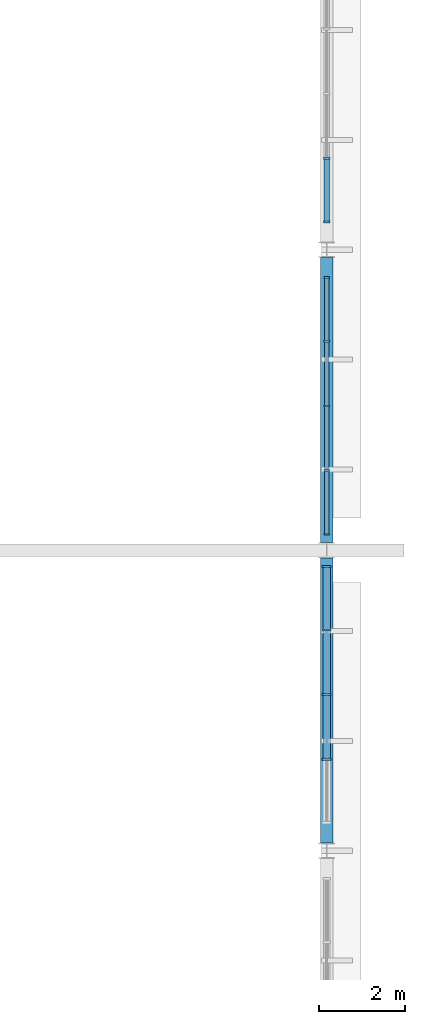
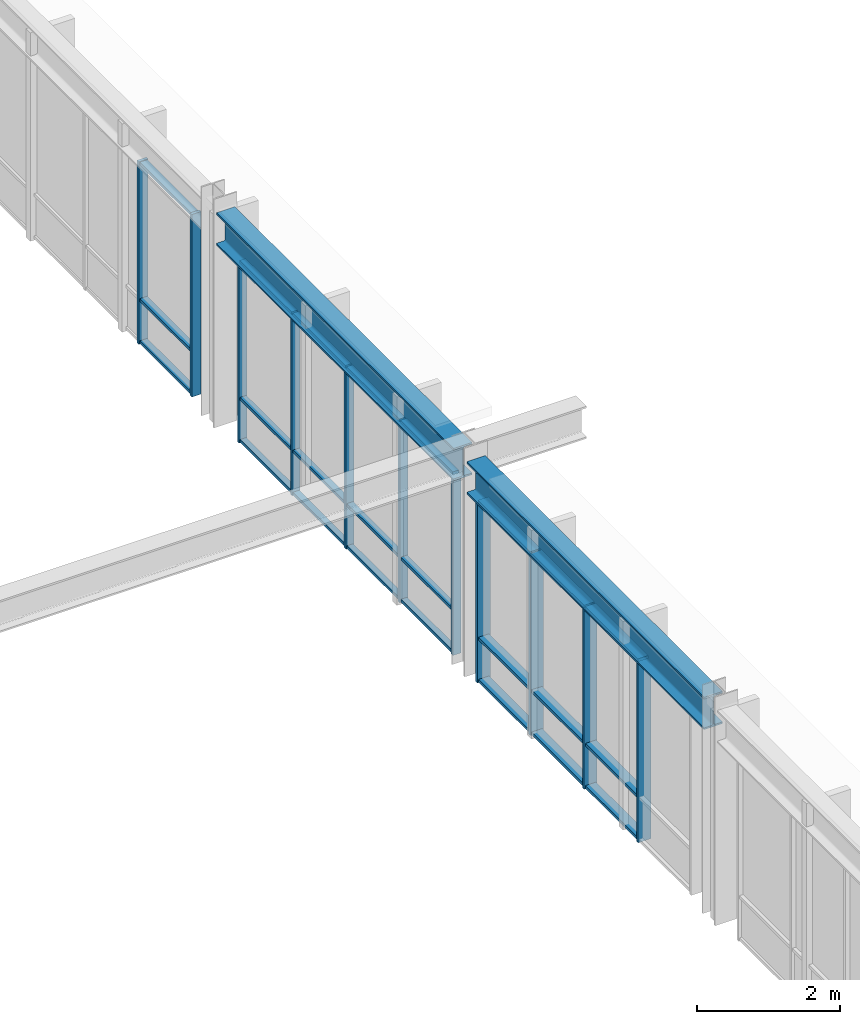
# One storey, part 35 of 98: 35 members, 2 beams, 3 elements without a shape of their own.
"""IFC4 building model written with IfcOpenShell, lengths in metres."""

import ifcopenshell
import ifcopenshell.guid

model = None  # the IFC model being written
_history = None  # IfcOwnerHistory: only IFC2X3 demands one
_inside = {}  # id of a spatial element -> (the spatial element, [elements in it])
_under = {}  # id of a project, library or spatial element -> (it, [spatial elements below it])
_declared = {}  # id of a project -> (the project, [libraries it declares])
_typed = {}  # id of a type object -> (the type object, [elements of that type])
_made_of = {}  # id of a material, layer set ... -> (it, [elements and type objects made of it])


def new_model(schema):
    """Start an empty IFC model of exactly this schema.

    Asked for "IFC4X3", IfcOpenShell would pick the latest addendum, in which some entities
    have other attributes; the version numbers below select the first issue.
    IFC2X3 requires an IfcOwnerHistory on every rooted entity: one is made here for all.
    """
    global model, _history
    if schema == "IFC4X3":
        model = ifcopenshell.file(schema_version=(4, 3, 0, 0))
    else:
        model = ifcopenshell.file(schema=schema)
    _inside.clear()
    _under.clear()
    _declared.clear()
    _typed.clear()
    _made_of.clear()
    _history = None
    if model.schema == "IFC2X3":
        org = make("IfcOrganization", Name="unknown")
        user = make(
            "IfcPersonAndOrganization",
            ThePerson=make("IfcPerson", FamilyName="unknown"),
            TheOrganization=org,
        )
        app = make(
            "IfcApplication",
            ApplicationDeveloper=org,
            Version="unknown",
            ApplicationFullName="unknown",
            ApplicationIdentifier="unknown",
        )
        _history = make(
            "IfcOwnerHistory",
            OwningUser=user,
            OwningApplication=app,
            ChangeAction="ADDED",
            CreationDate=0,
        )
    return model


def make(cls, **values):
    """One entity of the class cls with the attributes given. An attribute that is None is left unset."""
    return model.create_entity(
        cls, **{name: value for name, value in values.items() if value is not None}
    )


def rooted(cls, **values):
    """An entity with a GlobalId (a new one), such as an element, a storey or a relation."""
    return make(cls, GlobalId=ifcopenshell.guid.new(), OwnerHistory=_history, **values)


def si_unit(unit_type, name, prefix=None):
    """IfcSIUnit, for example si_unit("LENGTHUNIT", "METRE", prefix="MILLI")."""
    return make("IfcSIUnit", UnitType=unit_type, Prefix=prefix, Name=name)


def assignment(units):
    """IfcUnitAssignment: the units of a project."""
    return None if units is None else make("IfcUnitAssignment", Units=units)


def point(xyz):
    """IfcCartesianPoint."""
    return None if xyz is None else make("IfcCartesianPoint", Coordinates=xyz)


def direction(xyz):
    """IfcDirection."""
    return None if xyz is None else make("IfcDirection", DirectionRatios=xyz)


def frame(location, z_axis=None, x_axis=None):
    """IfcAxis2Placement3D, a coordinate frame: its origin and axes. An axis left out is left unset."""
    return make(
        "IfcAxis2Placement3D",
        Location=point(location),
        Axis=direction(z_axis),
        RefDirection=direction(x_axis),
    )


def frame_2d(location, x_axis=None):
    """IfcAxis2Placement2D, a coordinate frame in the plane: its origin and x axis."""
    return make(
        "IfcAxis2Placement2D", Location=point(location), RefDirection=direction(x_axis)
    )


def origin():
    """The frame at (0, 0, 0) with its axes left unset."""
    return frame((0.0, 0.0, 0.0))


def origin_2d():
    """The frame at (0, 0) in the plane with its x axis left unset."""
    return frame_2d((0.0, 0.0))


def place(relative_to, where):
    """IfcLocalPlacement: puts the frame where relative to a parent placement (None: the world)."""
    return make(
        "IfcLocalPlacement", PlacementRelTo=relative_to, RelativePlacement=where
    )


def context(
    kind, dimensions, precision=None, world=None, true_north=None, identifier=None
):
    """IfcGeometricRepresentationContext, for example the 3D "Model" context."""
    return make(
        "IfcGeometricRepresentationContext",
        ContextIdentifier=identifier,
        ContextType=kind,
        CoordinateSpaceDimension=dimensions,
        Precision=precision,
        WorldCoordinateSystem=world,
        TrueNorth=true_north,
    )


def subcontext(parent, identifier, kind, view, scale=None):
    """IfcGeometricRepresentationSubContext, for example "Body" below "Model"."""
    return make(
        "IfcGeometricRepresentationSubContext",
        ContextIdentifier=identifier,
        ContextType=kind,
        ParentContext=parent,
        TargetScale=scale,
        TargetView=view,
    )


def project(units=None, contexts=None):
    """IfcProject with its units and contexts."""
    return rooted(
        "IfcProject",
        Name="project",
        RepresentationContexts=contexts,
        UnitsInContext=assignment(units),
    )


def spatial(cls, under=None, at=None, **own):
    """A site, building, storey or space (cls), placed at a placement, below another one or the project."""
    s = rooted(cls, ObjectPlacement=at, **own)
    if under is not None:
        _under.setdefault(under.id(), (under, []))[1].append(s)
    return s


def profile(cls, at=None, kind="AREA", **sizes):
    """A parametric profile (cls). Its sizes go by their IFC names, for example OverallWidth=200.0."""
    return make(cls, ProfileType=kind, Position=at, **sizes)


def rectangle(**sizes):
    """IfcRectangleProfileDef."""
    return profile("IfcRectangleProfileDef", **sizes)


def i_section(**sizes):
    """IfcIShapeProfileDef."""
    return profile("IfcIShapeProfileDef", **sizes)


def extrude(swept, where, along, depth):
    """IfcExtrudedAreaSolid: the profile swept, set in the frame where, extruded along a direction by depth."""
    return make(
        "IfcExtrudedAreaSolid",
        SweptArea=swept,
        Position=where,
        ExtrudedDirection=direction(along),
        Depth=depth,
    )


def shape(context_of_items, identifier, shape_type, items):
    """IfcShapeRepresentation: the items that make up one representation, for example the "Body"."""
    return make(
        "IfcShapeRepresentation",
        ContextOfItems=context_of_items,
        RepresentationIdentifier=identifier,
        RepresentationType=shape_type,
        Items=items,
    )


def material(Name=None, Category=None):
    """IfcMaterial."""
    return make("IfcMaterial", Name=Name, Category=Category)


def material_profile(
    of_material, cross_section, Name=None, Category=None, Priority=None
):
    """IfcMaterialProfile: a cross section and its material."""
    return make(
        "IfcMaterialProfile",
        Name=Name,
        Material=of_material,
        Profile=cross_section,
        Priority=Priority,
        Category=Category,
    )


def profile_set(profiles, Name=None, composite=None):
    """IfcMaterialProfileSet."""
    return make(
        "IfcMaterialProfileSet",
        Name=Name,
        MaterialProfiles=profiles,
        CompositeProfile=composite,
    )


def made_of(thing, what):
    """Note that an element or type object is made of a material, layer set ...; save() writes the relation."""
    if what is not None:
        _made_of.setdefault(what.id(), (what, []))[1].append(thing)
    return thing


def type_object(cls, material=None, **own):
    """A type object (cls), such as IfcWallType, which elements share."""
    return made_of(rooted(cls, **own), material)


def element(
    cls,
    number,
    at=None,
    inside=None,
    cuts=None,
    type_object=None,
    material=None,
    context=None,
    identifier="Body",
    shape_type=None,
    held_by="IfcProductDefinitionShape",
    body=None,
    shapes=None,
    **own,
):
    """One element of the class cls, such as IfcWall. Its Tag is "e" and its number.

    at: its placement. inside: the storey or other place that contains it. cuts: it is an
    opening in that element (IfcRelVoidsElement). A single representation is given by context,
    identifier, shape_type and body (its items); several are given by shapes. held_by: the class
    of the entity that holds the representations. save() writes the other relations.
    """
    e = rooted(cls, Tag="e%d" % number, ObjectPlacement=at, **own)
    if body is not None:
        shapes = [shape(context, identifier, shape_type, body)]
    if shapes is not None:
        e.Representation = make(held_by, Representations=shapes)
    if inside is not None:
        _inside.setdefault(inside.id(), (inside, []))[1].append(e)
    if cuts is not None:
        rooted(
            "IfcRelVoidsElement", RelatingBuildingElement=cuts, RelatedOpeningElement=e
        )
    if type_object is not None:
        _typed.setdefault(type_object.id(), (type_object, []))[1].append(e)
    return made_of(e, material)


def aggregate(whole, parts):
    """IfcRelAggregates: a whole, such as a stair, and the parts it consists of."""
    return rooted("IfcRelAggregates", RelatingObject=whole, RelatedObjects=parts)


def save(model, path):
    """Write the relations noted so far, then the file.

    IfcRelAggregates (storeys below a building ...), IfcRelContainedInSpatialStructure (elements
    in a storey), IfcRelDefinesByType, IfcRelAssociatesMaterial and IfcRelDeclares: one each for
    every whole, place, type object, material and project.
    """
    for whole, parts in _under.values():
        aggregate(whole, parts)
    for where, things in _inside.values():
        rooted(
            "IfcRelContainedInSpatialStructure",
            RelatedElements=things,
            RelatingStructure=where,
        )
    for kind, things in _typed.values():
        rooted("IfcRelDefinesByType", RelatedObjects=things, RelatingType=kind)
    for what, things in _made_of.values():
        rooted("IfcRelAssociatesMaterial", RelatedObjects=things, RelatingMaterial=what)
    for by, libraries in _declared.values():
        rooted("IfcRelDeclares", RelatingContext=by, RelatedDefinitions=libraries)
    model.write(path)


model = new_model("IFC4")

# Units and contexts
model_context = context("Model", 3, precision=1e-05, world=origin(), true_north=direction((0.0, 1.0)))
body_context = subcontext(model_context, "Body", "Model", "MODEL_VIEW")
ifc_project = project(units=[si_unit("LENGTHUNIT", "METRE"), si_unit("AREAUNIT", "SQUARE_METRE"), si_unit("VOLUMEUNIT", "CUBIC_METRE"), si_unit("PLANEANGLEUNIT", "RADIAN"), si_unit("MASSUNIT", "GRAM", prefix="KILO")], contexts=[model_context])

# Site, building, storey
site_placement = place(None, origin())
site = spatial("IfcSite", under=ifc_project, at=site_placement, CompositionType="ELEMENT")
building_placement = place(site_placement, origin())
building = spatial("IfcBuilding", under=site, at=building_placement, Name="Larkveld Mobility Hub", CompositionType="ELEMENT")
storey_placement = place(building_placement, frame((0.0, 0.0, 4.5)))
storey = spatial("IfcBuildingStorey", under=building, at=storey_placement, Name="L01", CompositionType="ELEMENT", Elevation=4.5)

# Beams
ifc_material_1 = material(Name="Steel S355JR", Category="steel")
ifc_material_profile_1 = material_profile(ifc_material_1, i_section(OverallWidth=0.300048828125, OverallDepth=0.550048828125, WebThickness=0.014892578125, FlangeThickness=0.029052734375, FilletRadius=0.027099609375, at=origin_2d()), Name="HEB 550")
ifc_profile_set_1 = profile_set([ifc_material_profile_1], Name="Steel S355JR")
beam_type = type_object("IfcBeamType", Name="BM-STHEB550", PredefinedType="BEAM", material=ifc_profile_set_1)
for number, where, z_axis, x_axis, name in (
    (1, (184.0, 63.18408203125, 3.385009765625), (0.0, 1.0, 0.0), (-1.0, 0.0, 0.0), "Primary N-S Girder L01-0475"),
    (2, (184.0, 70.18408203125, 3.385009765625), (0.0, 1.0, 0.0), (-1.0, 0.0, 0.0), "Primary N-S Girder L01-0476"),
):
    element("IfcBeam", number, at=place(storey_placement, frame(where, z_axis=z_axis, x_axis=x_axis)), inside=storey, type_object=beam_type, Name=name, PredefinedType="BEAM", context=body_context, shape_type="SweptSolid", body=[
        extrude(i_section(OverallWidth=0.300048828125, OverallDepth=0.550048828125, WebThickness=0.014892578125, FlangeThickness=0.029052734375, FilletRadius=0.027099609375, at=origin_2d()), origin(), (0.0, 0.0, 1.0), 6.6318359375),
    ])

# Curtain wall, members
ifc_material_2 = material(Name="Anodised aluminium 6063-T6", Category="aluminium")
curtain_wall_type_1 = type_object("IfcCurtainWallType", Name="CW-SYS-09", PredefinedType="NOTDEFINED", material=ifc_material_2)
curtain_wall_1_placement = place(storey_placement, origin())
curtain_wall_1 = element("IfcCurtainWall", 3, at=curtain_wall_1_placement, inside=storey, type_object=curtain_wall_type_1, Name="Bus Hall Upper East Glazing B4 CW-057", PredefinedType="NOTDEFINED")
ifc_material_profile_2 = material_profile(ifc_material_2, rectangle(XDim=0.050048828125, YDim=0.14990234375, at=origin_2d()), Name="ALU MULL 50x150")
ifc_profile_set_2 = profile_set([ifc_material_profile_2], Name="Anodised aluminium 6063-T6")
member_type_1 = type_object("IfcMemberType", Name="CW-MUL-01", PredefinedType="MULLION", material=ifc_profile_set_2)
member_1_placement = place(storey_placement, frame((184.0, 77.65087890625, -0.001953125), z_axis=(0.0, 0.0, 1.0), x_axis=(0.0, 1.0, 0.0)))
member_1 = element("IfcMember", 4, at=member_1_placement, type_object=member_type_1, Name="CW09 mullion 1", PredefinedType="MULLION", context=body_context, shape_type="SweptSolid", body=[
    extrude(rectangle(XDim=0.050048828125, YDim=0.14990234375, at=origin_2d()), origin(), (0.0, 0.0, 1.0), 3.112060546875),
])
member_2_placement = place(storey_placement, frame((184.0, 79.132080078125, -0.001953125), z_axis=(0.0, 0.0, 1.0), x_axis=(0.0, 1.0, 0.0)))
member_2 = element("IfcMember", 5, at=member_2_placement, type_object=member_type_1, Name="CW09 mullion 2", PredefinedType="MULLION", context=body_context, shape_type="SweptSolid", body=[
    extrude(rectangle(XDim=0.050048828125, YDim=0.14990234375, at=origin_2d()), origin(), (0.0, 0.0, 1.0), 3.112060546875),
])

curtain_wall_type_2 = type_object("IfcCurtainWallType", Name="CW-SYS-07", PredefinedType="NOTDEFINED", material=ifc_material_2)
curtain_wall_2_placement = place(storey_placement, origin())
curtain_wall_2 = element("IfcCurtainWall", 6, at=curtain_wall_2_placement, inside=storey, type_object=curtain_wall_type_2, Name="Bus Hall Upper East Glazing B3 CW-055", PredefinedType="NOTDEFINED")
ifc_material_profile_3 = material_profile(ifc_material_2, rectangle(XDim=0.050048828125, YDim=0.2099609375, at=origin_2d()), Name="ALU MULL 50x210")
ifc_profile_set_3 = profile_set([ifc_material_profile_3], Name="Anodised aluminium 6063-T6")
member_type_2 = type_object("IfcMemberType", Name="CW-MUL-03", PredefinedType="MULLION", material=ifc_profile_set_3)
member_3_placement = place(storey_placement, frame((184.0, 65.132080078125, -0.001953125), z_axis=(0.0, 0.0, 1.0), x_axis=(0.0, 1.0, 0.0)))
member_3 = element("IfcMember", 7, at=member_3_placement, type_object=member_type_2, Name="CW07 mullion 2", PredefinedType="MULLION", context=body_context, shape_type="SweptSolid", body=[
    extrude(rectangle(XDim=0.050048828125, YDim=0.2099609375, at=origin_2d()), origin(), (0.0, 0.0, 1.0), 3.112060546875),
])
member_4_placement = place(storey_placement, frame((184.0, 66.637939453125, -0.001953125), z_axis=(0.0, 0.0, 1.0), x_axis=(0.0, 1.0, 0.0)))
member_4 = element("IfcMember", 8, at=member_4_placement, type_object=member_type_2, Name="CW07 mullion 3", PredefinedType="MULLION", context=body_context, shape_type="SweptSolid", body=[
    extrude(rectangle(XDim=0.050048828125, YDim=0.2099609375, at=origin_2d()), origin(), (0.0, 0.0, 1.0), 3.112060546875),
])
member_5_placement = place(storey_placement, frame((184.0, 68.14404296875, -0.001953125), z_axis=(0.0, 0.0, 1.0), x_axis=(0.0, 1.0, 0.0)))
member_5 = element("IfcMember", 9, at=member_5_placement, type_object=member_type_2, Name="CW07 mullion 4", PredefinedType="MULLION", context=body_context, shape_type="SweptSolid", body=[
    extrude(rectangle(XDim=0.050048828125, YDim=0.2099609375, at=origin_2d()), origin(), (0.0, 0.0, 1.0), 3.112060546875),
])
member_6_placement = place(storey_placement, frame((184.0, 69.625, -0.001953125), z_axis=(0.0, 0.0, 1.0), x_axis=(0.0, 1.0, 0.0)))
member_6 = element("IfcMember", 10, at=member_6_placement, type_object=member_type_2, Name="CW07 mullion 5", PredefinedType="MULLION", context=body_context, shape_type="SweptSolid", body=[
    extrude(rectangle(XDim=0.050048828125, YDim=0.2099609375, at=origin_2d()), origin(), (0.0, 0.0, 1.0), 3.112060546875),
])

curtain_wall_type_3 = type_object("IfcCurtainWallType", Name="CW-SYS-08", PredefinedType="NOTDEFINED", material=ifc_material_2)
curtain_wall_3_placement = place(storey_placement, origin())
curtain_wall_3 = element("IfcCurtainWall", 11, at=curtain_wall_3_placement, inside=storey, type_object=curtain_wall_type_3, Name="Bus Hall Upper East Glazing B4 CW-056", PredefinedType="NOTDEFINED")
ifc_material_profile_4 = material_profile(ifc_material_2, rectangle(XDim=0.050048828125, YDim=0.1298828125, at=origin_2d()), Name="ALU MULL 50x130")
ifc_profile_set_4 = profile_set([ifc_material_profile_4], Name="Anodised aluminium 6063-T6")
member_type_3 = type_object("IfcMemberType", Name="CW-MUL-04", PredefinedType="MULLION", material=ifc_profile_set_4)
member_7_placement = place(storey_placement, frame((184.0, 70.375, -0.001953125), z_axis=(0.0, 0.0, 1.0), x_axis=(0.0, 1.0, 0.0)))
member_7 = element("IfcMember", 12, at=member_7_placement, type_object=member_type_3, Name="CW08 mullion 1", PredefinedType="MULLION", context=body_context, shape_type="SweptSolid", body=[
    extrude(rectangle(XDim=0.050048828125, YDim=0.1298828125, at=origin_2d()), origin(), (0.0, 0.0, 1.0), 3.112060546875),
])
member_8_placement = place(storey_placement, frame((184.0, 71.85595703125, -0.001953125), z_axis=(0.0, 0.0, 1.0), x_axis=(0.0, 1.0, 0.0)))
member_8 = element("IfcMember", 13, at=member_8_placement, type_object=member_type_3, Name="CW08 mullion 2", PredefinedType="MULLION", context=body_context, shape_type="SweptSolid", body=[
    extrude(rectangle(XDim=0.050048828125, YDim=0.1298828125, at=origin_2d()), origin(), (0.0, 0.0, 1.0), 3.112060546875),
])
member_9_placement = place(storey_placement, frame((184.0, 73.362060546875, -0.001953125), z_axis=(0.0, 0.0, 1.0), x_axis=(0.0, 1.0, 0.0)))
member_9 = element("IfcMember", 14, at=member_9_placement, type_object=member_type_3, Name="CW08 mullion 3", PredefinedType="MULLION", context=body_context, shape_type="SweptSolid", body=[
    extrude(rectangle(XDim=0.050048828125, YDim=0.1298828125, at=origin_2d()), origin(), (0.0, 0.0, 1.0), 3.112060546875),
])
member_10_placement = place(storey_placement, frame((184.0, 74.867919921875, -0.001953125), z_axis=(0.0, 0.0, 1.0), x_axis=(0.0, 1.0, 0.0)))
member_10 = element("IfcMember", 15, at=member_10_placement, type_object=member_type_3, Name="CW08 mullion 4", PredefinedType="MULLION", context=body_context, shape_type="SweptSolid", body=[
    extrude(rectangle(XDim=0.050048828125, YDim=0.1298828125, at=origin_2d()), origin(), (0.0, 0.0, 1.0), 3.112060546875),
])
member_11_placement = place(storey_placement, frame((184.0, 76.34912109375, -0.001953125), z_axis=(0.0, 0.0, 1.0), x_axis=(0.0, 1.0, 0.0)))
member_11 = element("IfcMember", 16, at=member_11_placement, type_object=member_type_3, Name="CW08 mullion 5", PredefinedType="MULLION", context=body_context, shape_type="SweptSolid", body=[
    extrude(rectangle(XDim=0.050048828125, YDim=0.1298828125, at=origin_2d()), origin(), (0.0, 0.0, 1.0), 3.112060546875),
])

# Member
ifc_material_profile_5 = material_profile(ifc_material_2, rectangle(XDim=0.1201171875, YDim=0.050048828125, at=origin_2d()), Name="ALU TRAN 50x120")
ifc_profile_set_5 = profile_set([ifc_material_profile_5], Name="Anodised aluminium 6063-T6")
member_type_4 = type_object("IfcMemberType", Name="CW-TRN-01", PredefinedType="USERDEFINED", material=ifc_profile_set_5)
member_12_placement = place(storey_placement, frame((184.0, 77.660888671875, 0.030029296875), z_axis=(0.0, 1.0, 0.0), x_axis=(-1.0, 0.0, 0.0)))
member_12 = element("IfcMember", 17, at=member_12_placement, type_object=member_type_4, Name="CW09 transom 1.1", ObjectType="TRANSOM", PredefinedType="USERDEFINED", context=body_context, shape_type="SweptSolid", body=[
    extrude(rectangle(XDim=0.1201171875, YDim=0.050048828125, at=origin_2d()), origin(), (0.0, 0.0, 1.0), 1.4560546875),
])

member_13_placement = place(storey_placement, frame((184.0, 77.660888671875, 0.75), z_axis=(0.0, 1.0, 0.0), x_axis=(-1.0, 0.0, 0.0)))
member_13 = element("IfcMember", 18, at=member_13_placement, type_object=member_type_4, Name="CW09 transom 1.2", ObjectType="TRANSOM", PredefinedType="USERDEFINED", context=body_context, shape_type="SweptSolid", body=[
    extrude(rectangle(XDim=0.1201171875, YDim=0.050048828125, at=origin_2d()), origin(), (0.0, 0.0, 1.0), 1.4560546875),
])

member_14_placement = place(storey_placement, frame((184.0, 77.660888671875, 3.077880859375), z_axis=(0.0, 1.0, 0.0), x_axis=(-1.0, 0.0, 0.0)))
member_14 = element("IfcMember", 19, at=member_14_placement, type_object=member_type_4, Name="CW09 transom 1.3", ObjectType="TRANSOM", PredefinedType="USERDEFINED", context=body_context, shape_type="SweptSolid", body=[
    extrude(rectangle(XDim=0.1201171875, YDim=0.050048828125, at=origin_2d()), origin(), (0.0, 0.0, 1.0), 1.4560546875),
])

aggregate(curtain_wall_1, [member_1, member_2, member_12, member_13, member_14])

ifc_material_profile_6 = material_profile(ifc_material_2, rectangle(XDim=0.169921875, YDim=0.050048828125, at=origin_2d()), Name="ALU TRAN 50x170")
ifc_profile_set_6 = profile_set([ifc_material_profile_6], Name="Anodised aluminium 6063-T6")
member_type_5 = type_object("IfcMemberType", Name="CW-TRN-03", PredefinedType="USERDEFINED", material=ifc_profile_set_6)
member_15_placement = place(storey_placement, frame((184.0, 65.14697265625, 0.030029296875), z_axis=(0.0, 1.0, 0.0), x_axis=(-1.0, 0.0, 0.0)))
member_15 = element("IfcMember", 20, at=member_15_placement, type_object=member_type_5, Name="CW07 transom 2.1", ObjectType="TRANSOM", PredefinedType="USERDEFINED", context=body_context, shape_type="SweptSolid", body=[
    extrude(rectangle(XDim=0.169921875, YDim=0.050048828125, at=origin_2d()), origin(), (0.0, 0.0, 1.0), 1.47607421875),
])

member_16_placement = place(storey_placement, frame((184.0, 65.14697265625, 0.75), z_axis=(0.0, 1.0, 0.0), x_axis=(-1.0, 0.0, 0.0)))
member_16 = element("IfcMember", 21, at=member_16_placement, type_object=member_type_5, Name="CW07 transom 2.2", ObjectType="TRANSOM", PredefinedType="USERDEFINED", context=body_context, shape_type="SweptSolid", body=[
    extrude(rectangle(XDim=0.169921875, YDim=0.050048828125, at=origin_2d()), origin(), (0.0, 0.0, 1.0), 1.47607421875),
])

member_17_placement = place(storey_placement, frame((184.0, 65.14697265625, 3.077880859375), z_axis=(0.0, 1.0, 0.0), x_axis=(-1.0, 0.0, 0.0)))
member_17 = element("IfcMember", 22, at=member_17_placement, type_object=member_type_5, Name="CW07 transom 2.3", ObjectType="TRANSOM", PredefinedType="USERDEFINED", context=body_context, shape_type="SweptSolid", body=[
    extrude(rectangle(XDim=0.169921875, YDim=0.050048828125, at=origin_2d()), origin(), (0.0, 0.0, 1.0), 1.47607421875),
])

member_18_placement = place(storey_placement, frame((184.0, 66.653076171875, 0.030029296875), z_axis=(0.0, 1.0, 0.0), x_axis=(-1.0, 0.0, 0.0)))
member_18 = element("IfcMember", 23, at=member_18_placement, type_object=member_type_5, Name="CW07 transom 3.1", ObjectType="TRANSOM", PredefinedType="USERDEFINED", context=body_context, shape_type="SweptSolid", body=[
    extrude(rectangle(XDim=0.169921875, YDim=0.050048828125, at=origin_2d()), origin(), (0.0, 0.0, 1.0), 1.475830078125),
])

member_19_placement = place(storey_placement, frame((184.0, 66.653076171875, 0.75), z_axis=(0.0, 1.0, 0.0), x_axis=(-1.0, 0.0, 0.0)))
member_19 = element("IfcMember", 24, at=member_19_placement, type_object=member_type_5, Name="CW07 transom 3.2", ObjectType="TRANSOM", PredefinedType="USERDEFINED", context=body_context, shape_type="SweptSolid", body=[
    extrude(rectangle(XDim=0.169921875, YDim=0.050048828125, at=origin_2d()), origin(), (0.0, 0.0, 1.0), 1.475830078125),
])

member_20_placement = place(storey_placement, frame((184.0, 66.653076171875, 3.077880859375), z_axis=(0.0, 1.0, 0.0), x_axis=(-1.0, 0.0, 0.0)))
member_20 = element("IfcMember", 25, at=member_20_placement, type_object=member_type_5, Name="CW07 transom 3.3", ObjectType="TRANSOM", PredefinedType="USERDEFINED", context=body_context, shape_type="SweptSolid", body=[
    extrude(rectangle(XDim=0.169921875, YDim=0.050048828125, at=origin_2d()), origin(), (0.0, 0.0, 1.0), 1.475830078125),
])

member_21_placement = place(storey_placement, frame((184.0, 68.158935546875, 0.030029296875), z_axis=(0.0, 1.0, 0.0), x_axis=(-1.0, 0.0, 0.0)))
member_21 = element("IfcMember", 26, at=member_21_placement, type_object=member_type_5, Name="CW07 transom 4.1", ObjectType="TRANSOM", PredefinedType="USERDEFINED", context=body_context, shape_type="SweptSolid", body=[
    extrude(rectangle(XDim=0.169921875, YDim=0.050048828125, at=origin_2d()), origin(), (0.0, 0.0, 1.0), 1.4560546875),
])

member_22_placement = place(storey_placement, frame((184.0, 68.158935546875, 0.75), z_axis=(0.0, 1.0, 0.0), x_axis=(-1.0, 0.0, 0.0)))
member_22 = element("IfcMember", 27, at=member_22_placement, type_object=member_type_5, Name="CW07 transom 4.2", ObjectType="TRANSOM", PredefinedType="USERDEFINED", context=body_context, shape_type="SweptSolid", body=[
    extrude(rectangle(XDim=0.169921875, YDim=0.050048828125, at=origin_2d()), origin(), (0.0, 0.0, 1.0), 1.4560546875),
])

member_23_placement = place(storey_placement, frame((184.0, 68.158935546875, 3.077880859375), z_axis=(0.0, 1.0, 0.0), x_axis=(-1.0, 0.0, 0.0)))
member_23 = element("IfcMember", 28, at=member_23_placement, type_object=member_type_5, Name="CW07 transom 4.3", ObjectType="TRANSOM", PredefinedType="USERDEFINED", context=body_context, shape_type="SweptSolid", body=[
    extrude(rectangle(XDim=0.169921875, YDim=0.050048828125, at=origin_2d()), origin(), (0.0, 0.0, 1.0), 1.4560546875),
])

aggregate(curtain_wall_2, [member_3, member_4, member_5, member_6, member_15, member_16, member_17, member_18, member_19, member_20, member_21, member_22, member_23])

ifc_material_profile_7 = material_profile(ifc_material_2, rectangle(XDim=0.10009765625, YDim=0.050048828125, at=origin_2d()), Name="ALU TRAN 50x100")
ifc_profile_set_7 = profile_set([ifc_material_profile_7], Name="Anodised aluminium 6063-T6")
member_type_6 = type_object("IfcMemberType", Name="CW-TRN-04", PredefinedType="USERDEFINED", material=ifc_profile_set_7)
member_24_placement = place(storey_placement, frame((184.0, 70.385009765625, 0.030029296875), z_axis=(0.0, 1.0, 0.0), x_axis=(-1.0, 0.0, 0.0)))
member_24 = element("IfcMember", 29, at=member_24_placement, type_object=member_type_6, Name="CW08 transom 1.1", ObjectType="TRANSOM", PredefinedType="USERDEFINED", context=body_context, shape_type="SweptSolid", body=[
    extrude(rectangle(XDim=0.10009765625, YDim=0.050048828125, at=origin_2d()), origin(), (0.0, 0.0, 1.0), 1.4560546875),
])

member_25_placement = place(storey_placement, frame((184.0, 70.385009765625, 0.75), z_axis=(0.0, 1.0, 0.0), x_axis=(-1.0, 0.0, 0.0)))
member_25 = element("IfcMember", 30, at=member_25_placement, type_object=member_type_6, Name="CW08 transom 1.2", ObjectType="TRANSOM", PredefinedType="USERDEFINED", context=body_context, shape_type="SweptSolid", body=[
    extrude(rectangle(XDim=0.10009765625, YDim=0.050048828125, at=origin_2d()), origin(), (0.0, 0.0, 1.0), 1.4560546875),
])

member_26_placement = place(storey_placement, frame((184.0, 70.385009765625, 3.077880859375), z_axis=(0.0, 1.0, 0.0), x_axis=(-1.0, 0.0, 0.0)))
member_26 = element("IfcMember", 31, at=member_26_placement, type_object=member_type_6, Name="CW08 transom 1.3", ObjectType="TRANSOM", PredefinedType="USERDEFINED", context=body_context, shape_type="SweptSolid", body=[
    extrude(rectangle(XDim=0.10009765625, YDim=0.050048828125, at=origin_2d()), origin(), (0.0, 0.0, 1.0), 1.4560546875),
])

member_27_placement = place(storey_placement, frame((184.0, 71.87109375, 0.030029296875), z_axis=(0.0, 1.0, 0.0), x_axis=(-1.0, 0.0, 0.0)))
member_27 = element("IfcMember", 32, at=member_27_placement, type_object=member_type_6, Name="CW08 transom 2.1", ObjectType="TRANSOM", PredefinedType="USERDEFINED", context=body_context, shape_type="SweptSolid", body=[
    extrude(rectangle(XDim=0.10009765625, YDim=0.050048828125, at=origin_2d()), origin(), (0.0, 0.0, 1.0), 1.475830078125),
])

member_28_placement = place(storey_placement, frame((184.0, 71.87109375, 0.75), z_axis=(0.0, 1.0, 0.0), x_axis=(-1.0, 0.0, 0.0)))
member_28 = element("IfcMember", 33, at=member_28_placement, type_object=member_type_6, Name="CW08 transom 2.2", ObjectType="TRANSOM", PredefinedType="USERDEFINED", context=body_context, shape_type="SweptSolid", body=[
    extrude(rectangle(XDim=0.10009765625, YDim=0.050048828125, at=origin_2d()), origin(), (0.0, 0.0, 1.0), 1.475830078125),
])

member_29_placement = place(storey_placement, frame((184.0, 71.87109375, 3.077880859375), z_axis=(0.0, 1.0, 0.0), x_axis=(-1.0, 0.0, 0.0)))
member_29 = element("IfcMember", 34, at=member_29_placement, type_object=member_type_6, Name="CW08 transom 2.3", ObjectType="TRANSOM", PredefinedType="USERDEFINED", context=body_context, shape_type="SweptSolid", body=[
    extrude(rectangle(XDim=0.10009765625, YDim=0.050048828125, at=origin_2d()), origin(), (0.0, 0.0, 1.0), 1.475830078125),
])

member_30_placement = place(storey_placement, frame((184.0, 73.376953125, 0.030029296875), z_axis=(0.0, 1.0, 0.0), x_axis=(-1.0, 0.0, 0.0)))
member_30 = element("IfcMember", 35, at=member_30_placement, type_object=member_type_6, Name="CW08 transom 3.1", ObjectType="TRANSOM", PredefinedType="USERDEFINED", context=body_context, shape_type="SweptSolid", body=[
    extrude(rectangle(XDim=0.10009765625, YDim=0.050048828125, at=origin_2d()), origin(), (0.0, 0.0, 1.0), 1.47607421875),
])

member_31_placement = place(storey_placement, frame((184.0, 73.376953125, 0.75), z_axis=(0.0, 1.0, 0.0), x_axis=(-1.0, 0.0, 0.0)))
member_31 = element("IfcMember", 36, at=member_31_placement, type_object=member_type_6, Name="CW08 transom 3.2", ObjectType="TRANSOM", PredefinedType="USERDEFINED", context=body_context, shape_type="SweptSolid", body=[
    extrude(rectangle(XDim=0.10009765625, YDim=0.050048828125, at=origin_2d()), origin(), (0.0, 0.0, 1.0), 1.47607421875),
])

member_32_placement = place(storey_placement, frame((184.0, 73.376953125, 3.077880859375), z_axis=(0.0, 1.0, 0.0), x_axis=(-1.0, 0.0, 0.0)))
member_32 = element("IfcMember", 37, at=member_32_placement, type_object=member_type_6, Name="CW08 transom 3.3", ObjectType="TRANSOM", PredefinedType="USERDEFINED", context=body_context, shape_type="SweptSolid", body=[
    extrude(rectangle(XDim=0.10009765625, YDim=0.050048828125, at=origin_2d()), origin(), (0.0, 0.0, 1.0), 1.47607421875),
])

member_33_placement = place(storey_placement, frame((184.0, 74.883056640625, 0.030029296875), z_axis=(0.0, 1.0, 0.0), x_axis=(-1.0, 0.0, 0.0)))
member_33 = element("IfcMember", 38, at=member_33_placement, type_object=member_type_6, Name="CW08 transom 4.1", ObjectType="TRANSOM", PredefinedType="USERDEFINED", context=body_context, shape_type="SweptSolid", body=[
    extrude(rectangle(XDim=0.10009765625, YDim=0.050048828125, at=origin_2d()), origin(), (0.0, 0.0, 1.0), 1.4560546875),
])

member_34_placement = place(storey_placement, frame((184.0, 74.883056640625, 0.75), z_axis=(0.0, 1.0, 0.0), x_axis=(-1.0, 0.0, 0.0)))
member_34 = element("IfcMember", 39, at=member_34_placement, type_object=member_type_6, Name="CW08 transom 4.2", ObjectType="TRANSOM", PredefinedType="USERDEFINED", context=body_context, shape_type="SweptSolid", body=[
    extrude(rectangle(XDim=0.10009765625, YDim=0.050048828125, at=origin_2d()), origin(), (0.0, 0.0, 1.0), 1.4560546875),
])

member_35_placement = place(storey_placement, frame((184.0, 74.883056640625, 3.077880859375), z_axis=(0.0, 1.0, 0.0), x_axis=(-1.0, 0.0, 0.0)))
member_35 = element("IfcMember", 40, at=member_35_placement, type_object=member_type_6, Name="CW08 transom 4.3", ObjectType="TRANSOM", PredefinedType="USERDEFINED", context=body_context, shape_type="SweptSolid", body=[
    extrude(rectangle(XDim=0.10009765625, YDim=0.050048828125, at=origin_2d()), origin(), (0.0, 0.0, 1.0), 1.4560546875),
])

aggregate(curtain_wall_3, [member_7, member_8, member_9, member_10, member_11, member_24, member_25, member_26, member_27, member_28, member_29, member_30, member_31, member_32, member_33, member_34, member_35])

save(model, "model.ifc")
